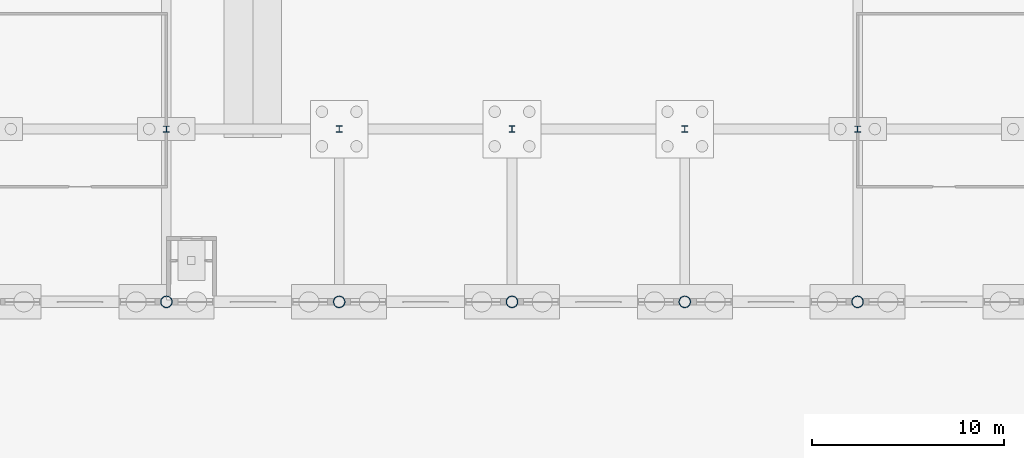
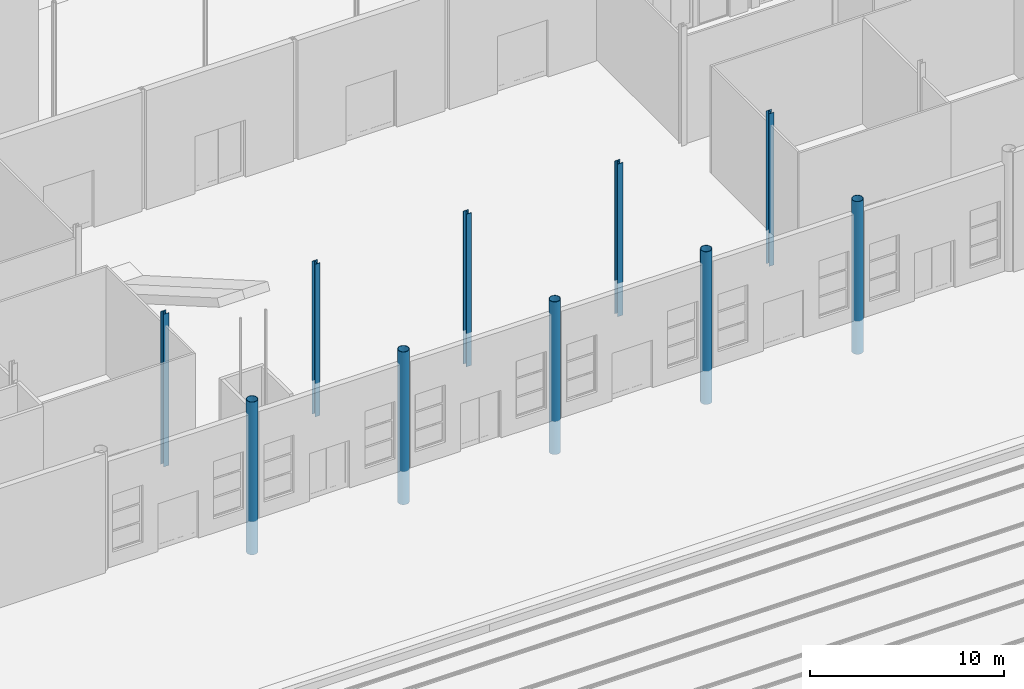
# One storey, part 23 of 250: 10 columns.
"""IFC4 building model written with IfcOpenShell, lengths in metres."""

from ifc_helpers import new_model, si_unit, direction, frame, origin, origin_2d, place, context, subcontext, project, spatial, hollow_circle, i_section, extrude, material, material_profile, profile_set, type_object, element, save


model = new_model("IFC4")

# Units and contexts
model_context = context("Model", 3, precision=1e-05, world=origin(), true_north=direction((0.0, 1.0)))
body_context = subcontext(model_context, "Body", "Model", "MODEL_VIEW")
ifc_project = project(units=[si_unit("LENGTHUNIT", "METRE"), si_unit("AREAUNIT", "SQUARE_METRE"), si_unit("VOLUMEUNIT", "CUBIC_METRE"), si_unit("PLANEANGLEUNIT", "RADIAN"), si_unit("MASSUNIT", "GRAM", prefix="KILO")], contexts=[model_context])

# Site, building, storey
site_placement = place(None, origin())
site = spatial("IfcSite", under=ifc_project, at=site_placement, CompositionType="ELEMENT")
building_placement = place(site_placement, origin())
building = spatial("IfcBuilding", under=site, at=building_placement, Name="Baradari Gate Terminus", CompositionType="ELEMENT")
storey_placement = place(building_placement, origin())
storey = spatial("IfcBuildingStorey", under=building, at=storey_placement, Name="L00", CompositionType="ELEMENT", Elevation=0.0)

# Columns
ifc_material_1 = material(Name="Steel S355", Category="steel")
ifc_material_profile_1 = material_profile(ifc_material_1, i_section(OverallWidth=0.307373046875, OverallDepth=0.314453125, WebThickness=0.011962890625, FlangeThickness=0.018798828125, FilletRadius=0.01513671875, at=origin_2d()), Name="UC 305x305x118")
ifc_profile_set_1 = profile_set([ifc_material_profile_1], Name="Steel S355")
column_type_1 = type_object("IfcColumnType", Name="Head-house column C07 UC 305x305x118", PredefinedType="COLUMN", material=ifc_profile_set_1)
for number, where, z_axis, x_axis, name in (
    (1, (135.0, 90.0, -2.10009765625), (0.0, 0.0, 1.0), (1.0, 0.0, 0.0), "C07 column 16-L L00"),
    (2, (171.0, 90.0, -2.10009765625), (0.0, 0.0, 1.0), (1.0, 0.0, 0.0), "C07 column 20-L L00"),
):
    element("IfcColumn", number, at=place(storey_placement, frame(where, z_axis=z_axis, x_axis=x_axis)), inside=storey, type_object=column_type_1, Name=name, PredefinedType="COLUMN", context=body_context, shape_type="SweptSolid", body=[
        extrude(i_section(OverallWidth=0.307373046875, OverallDepth=0.314453125, WebThickness=0.011962890625, FlangeThickness=0.018798828125, FilletRadius=0.01513671875, at=origin_2d()), origin(), (0.0, 0.0, 1.0), 9.60009765625),
    ])
ifc_material_2 = material(Name="Steel S355", Category="steel")
ifc_material_profile_2 = material_profile(ifc_material_2, hollow_circle(Radius=0.304931640625, WallThickness=0.02490234375, at=origin_2d()), Name="CHS 610x25")
ifc_profile_set_2 = profile_set([ifc_material_profile_2], Name="Steel S355")
column_type_2 = type_object("IfcColumnType", Name="North shed column C12 CHS 610x25", PredefinedType="COLUMN", material=ifc_profile_set_2)
for number, where, z_axis, x_axis, name in (
    (3, (135.0, 81.0, -2.10009765625), (0.0, 0.0, 1.0), (1.0, 0.0, 0.0), "C12 column 16-K L00"),
    (4, (144.0, 81.0, -2.10009765625), (0.0, 0.0, 1.0), (1.0, 0.0, 0.0), "C12 column 17-K L00"),
    (5, (153.0, 81.0, -2.10009765625), (0.0, 0.0, 1.0), (1.0, 0.0, 0.0), "C12 column 18-K L00"),
    (6, (162.0, 81.0, -2.10009765625), (0.0, 0.0, 1.0), (1.0, 0.0, 0.0), "C12 column 19-K L00"),
    (7, (171.0, 81.0, -2.10009765625), (0.0, 0.0, 1.0), (1.0, 0.0, 0.0), "C12 column 20-K L00"),
):
    element("IfcColumn", number, at=place(storey_placement, frame(where, z_axis=z_axis, x_axis=x_axis)), inside=storey, type_object=column_type_2, Name=name, PredefinedType="COLUMN", context=body_context, shape_type="SweptSolid", body=[
        extrude(hollow_circle(Radius=0.304931640625, WallThickness=0.02490234375, at=origin_2d()), origin(), (0.0, 0.0, 1.0), 9.60009765625),
    ])
ifc_material_3 = material(Name="Steel S355", Category="steel")
ifc_material_profile_3 = material_profile(ifc_material_3, i_section(OverallWidth=0.311279296875, OverallDepth=0.3271484375, WebThickness=0.015869140625, FlangeThickness=0.02490234375, FilletRadius=0.01513671875, at=origin_2d()), Name="UC 305x305x158")
ifc_profile_set_3 = profile_set([ifc_material_profile_3], Name="Steel S355")
column_type_3 = type_object("IfcColumnType", Name="Ticket hall column C15 UC 305x305x158", PredefinedType="COLUMN", material=ifc_profile_set_3)
for number, where, z_axis, x_axis, name in (
    (8, (144.0, 90.0, -2.10009765625), (0.0, 0.0, 1.0), (1.0, 0.0, 0.0), "C15 column 17-L L00"),
    (9, (153.0, 90.0, -2.10009765625), (0.0, 0.0, 1.0), (1.0, 0.0, 0.0), "C15 column 18-L L00"),
    (10, (162.0, 90.0, -2.10009765625), (0.0, 0.0, 1.0), (1.0, 0.0, 0.0), "C15 column 19-L L00"),
):
    element("IfcColumn", number, at=place(storey_placement, frame(where, z_axis=z_axis, x_axis=x_axis)), inside=storey, type_object=column_type_3, Name=name, PredefinedType="COLUMN", context=body_context, shape_type="SweptSolid", body=[
        extrude(i_section(OverallWidth=0.311279296875, OverallDepth=0.3271484375, WebThickness=0.015869140625, FlangeThickness=0.02490234375, FilletRadius=0.01513671875, at=origin_2d()), origin(), (0.0, 0.0, 1.0), 9.60009765625),
    ])

save(model, "model.ifc")
